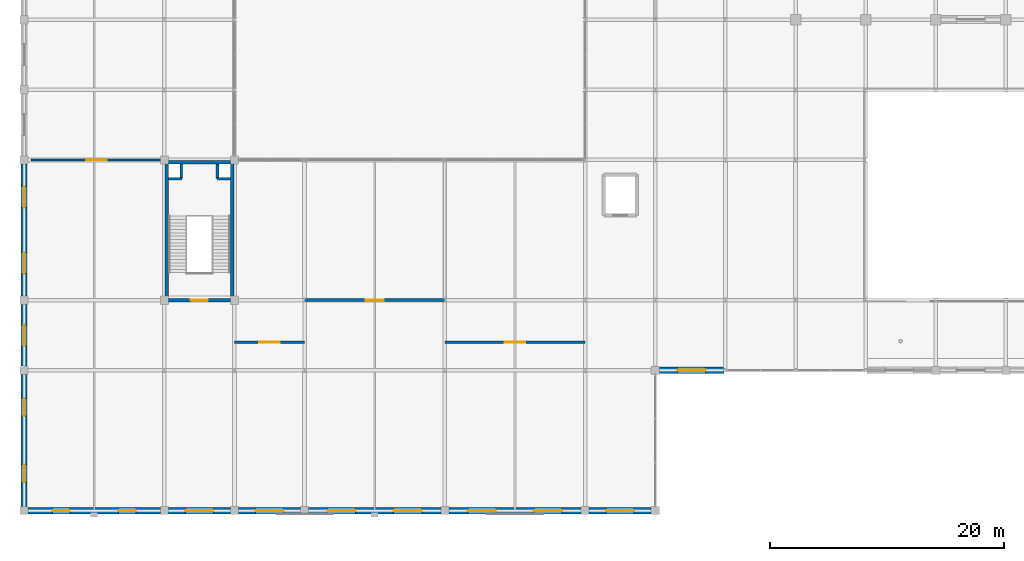
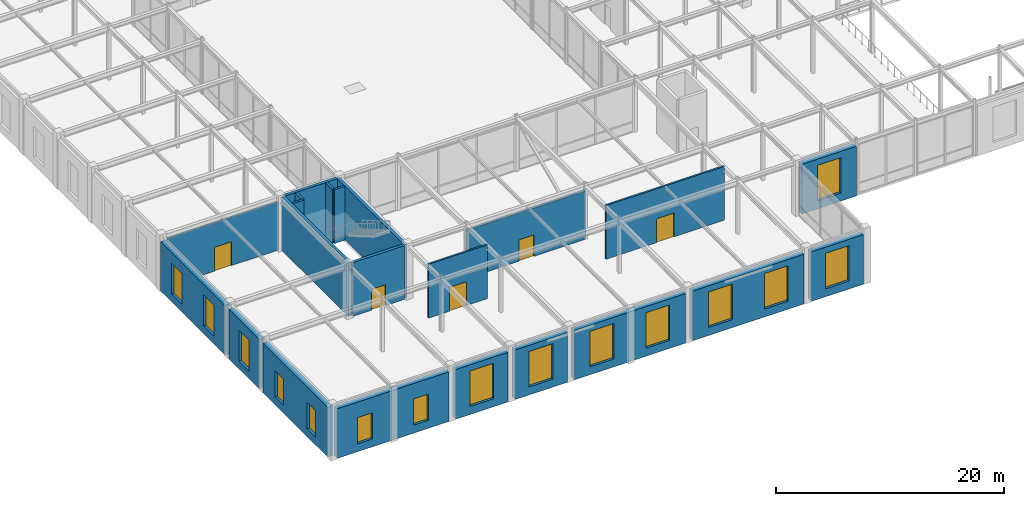
# One storey, part 97 of 108: 22 walls, 15 windows, 5 doors, 20 openings.
"""IFC4 building model written with IfcOpenShell, lengths in metres."""

from ifc_helpers import new_model, si_unit, direction, frame, frame_2d, origin, place, context, subcontext, project, spatial, rectangle, extrude, material, layer, layer_set, type_object, element, fill, save


model = new_model("IFC4")

# Units and contexts
model_context = context("Model", 3, precision=1e-05, world=origin(), true_north=direction((0.0, 1.0)))
body_context = subcontext(model_context, "Body", "Model", "MODEL_VIEW")
ifc_project = project(units=[si_unit("LENGTHUNIT", "METRE"), si_unit("AREAUNIT", "SQUARE_METRE"), si_unit("VOLUMEUNIT", "CUBIC_METRE"), si_unit("PLANEANGLEUNIT", "RADIAN"), si_unit("MASSUNIT", "GRAM", prefix="KILO")], contexts=[model_context])

# Site, building, storey
site_placement = place(None, origin())
site = spatial("IfcSite", under=ifc_project, at=site_placement, CompositionType="ELEMENT")
building_placement = place(site_placement, origin())
building = spatial("IfcBuilding", under=site, at=building_placement, Name="Zlatovratsky Civic Hall", CompositionType="ELEMENT")
storey_placement = place(building_placement, frame((0.0, 0.0, 6.0)))
storey = spatial("IfcBuildingStorey", under=building, at=storey_placement, Name="L02", CompositionType="ELEMENT", Elevation=6.0)

# Wall, opening, door
ifc_material_1 = material(Name="Acoustic ceramic blockwork", Category="masonry")
ifc_layer_1 = layer(ifc_material_1, 0.179931640625)
ifc_layer_set_1 = layer_set([ifc_layer_1], Name="Acoustic ceramic blockwork")
wall_type_1 = type_object("IfcWallType", Name="Wall_AcousticChamberPartition_180", PredefinedType="PARTITIONING", material=ifc_layer_set_1)
wall_1_placement = place(storey_placement, frame((18.0, 14.39990234375, 0.0), z_axis=(0.0, 0.0, 1.0), x_axis=(1.0, 0.0, 0.0)))
wall_1 = element("IfcWall", 1, at=wall_1_placement, inside=storey, type_object=wall_type_1, Name="WL-6120", PredefinedType="PARTITIONING", context=body_context, shape_type="SweptSolid", body=[
    extrude(rectangle(XDim=6.0, YDim=0.179931640625, at=frame_2d((3.0, 0.0))), origin(), (0.0, 0.0, 1.0), 5.760009765625),
])
opening_1_placement = place(wall_1_placement, frame((2.125, 0.0, 0.0)))
opening_1 = element("IfcOpeningElement", 2, at=opening_1_placement, cuts=wall_1, Name="Opening D-13", PredefinedType="OPENING", context=body_context, shape_type="SweptSolid", body=[
    extrude(rectangle(XDim=1.75, YDim=2.550048828125, at=frame_2d((0.875, 1.27490234375))), frame((0.0, 0.10498046875, 0.0), z_axis=(0.0, -1.0, 0.0), x_axis=(1.0, 0.0, 0.0)), (0.0, 0.0, 1.0), 0.209716796875),
])
ifc_material_2 = material(Name="Solid oak joinery in steel frame", Category="steel")
door_type_1 = type_object("IfcDoorType", Name="Door_CommitteeSuiteDouble_1750x2550", OperationType="DOUBLE_DOOR_SINGLE_SWING", PredefinedType="DOOR", material=ifc_material_2)
door_1_placement = place(opening_1_placement, origin())
door_1 = element("IfcDoor", 3, at=door_1_placement, inside=storey, type_object=door_type_1, Name="DR-5261", OperationType="DOUBLE_DOOR_SINGLE_SWING", OverallHeight=2.550048828125, OverallWidth=1.75, PredefinedType="DOOR", context=body_context, shape_type="SweptSolid", body=[
    extrude(rectangle(XDim=1.75, YDim=2.550048828125, at=frame_2d((0.875, 1.27490234375))), frame((0.0, 0.02490234375, 0.0), z_axis=(0.0, -1.0, 0.0), x_axis=(1.0, 0.0, 0.0)), (0.0, 0.0, 1.0), 0.050048828125),
])
fill(opening_1, door_1)

wall_2_placement = place(storey_placement, frame((36.0, 14.39990234375, 0.0), z_axis=(0.0, 0.0, 1.0), x_axis=(1.0, 0.0, 0.0)))
wall_2 = element("IfcWall", 4, at=wall_2_placement, inside=storey, type_object=wall_type_1, Name="WL-6121", PredefinedType="PARTITIONING", context=body_context, shape_type="SweptSolid", body=[
    extrude(rectangle(XDim=12.0, YDim=0.179931640625, at=frame_2d((6.0, 0.0))), origin(), (0.0, 0.0, 1.0), 5.760009765625),
])
opening_2_placement = place(wall_2_placement, frame((5.125, 0.0, 0.0)))
opening_2 = element("IfcOpeningElement", 5, at=opening_2_placement, cuts=wall_2, Name="Opening D-13", PredefinedType="OPENING", context=body_context, shape_type="SweptSolid", body=[
    extrude(rectangle(XDim=1.75, YDim=2.550048828125, at=frame_2d((0.875, 1.27490234375))), frame((0.0, 0.10498046875, 0.0), z_axis=(0.0, -1.0, 0.0), x_axis=(1.0, 0.0, 0.0)), (0.0, 0.0, 1.0), 0.209716796875),
])
door_2_placement = place(opening_2_placement, origin())
door_2 = element("IfcDoor", 6, at=door_2_placement, inside=storey, type_object=door_type_1, Name="DR-5262", OperationType="DOUBLE_DOOR_SINGLE_SWING", OverallHeight=2.550048828125, OverallWidth=1.75, PredefinedType="DOOR", context=body_context, shape_type="SweptSolid", body=[
    extrude(rectangle(XDim=1.75, YDim=2.550048828125, at=frame_2d((0.875, 1.27490234375))), frame((0.0, 0.02490234375, 0.0), z_axis=(0.0, -1.0, 0.0), x_axis=(1.0, 0.0, 0.0)), (0.0, 0.0, 1.0), 0.050048828125),
])
fill(opening_2, door_2)

wall_3_placement = place(storey_placement, frame((0.60009765625, 30.0, 0.0), z_axis=(0.0, 0.0, 1.0), x_axis=(1.0, 0.0, 0.0)))
wall_3 = element("IfcWall", 7, at=wall_3_placement, inside=storey, type_object=wall_type_1, Name="WL-6124", PredefinedType="PARTITIONING", context=body_context, shape_type="SweptSolid", body=[
    extrude(rectangle(XDim=11.199951171875, YDim=0.179931640625, at=frame_2d((5.60009765625, 0.0))), origin(), (0.0, 0.0, 1.0), 5.177978515625),
])
opening_3_placement = place(wall_3_placement, frame((4.72509765625, 0.0, 0.0)))
opening_3 = element("IfcOpeningElement", 8, at=opening_3_placement, cuts=wall_3, Name="Opening D-13", PredefinedType="OPENING", context=body_context, shape_type="SweptSolid", body=[
    extrude(rectangle(XDim=1.75, YDim=2.550048828125, at=frame_2d((0.875, 1.27490234375))), frame((0.0, 0.10498046875, 0.0), z_axis=(0.0, -1.0, 0.0), x_axis=(1.0, 0.0, 0.0)), (0.0, 0.0, 1.0), 0.209716796875),
])
door_3_placement = place(opening_3_placement, origin())
door_3 = element("IfcDoor", 9, at=door_3_placement, inside=storey, type_object=door_type_1, Name="DR-5265", OperationType="DOUBLE_DOOR_SINGLE_SWING", OverallHeight=2.550048828125, OverallWidth=1.75, PredefinedType="DOOR", context=body_context, shape_type="SweptSolid", body=[
    extrude(rectangle(XDim=1.75, YDim=2.550048828125, at=frame_2d((0.875, 1.27490234375))), frame((0.0, 0.02490234375, 0.0), z_axis=(0.0, -1.0, 0.0), x_axis=(1.0, 0.0, 0.0)), (0.0, 0.0, 1.0), 0.050048828125),
])
fill(opening_3, door_3)

ifc_layer_2 = layer(ifc_material_1, 0.260009765625)
ifc_layer_set_2 = layer_set([ifc_layer_2], Name="Acoustic ceramic blockwork")
wall_type_2 = type_object("IfcWallType", Name="Wall_ArchiveCompartment_260", PredefinedType="PARTITIONING", material=ifc_layer_set_2)
wall_4_placement = place(storey_placement, frame((24.0, 18.0, 0.0), z_axis=(0.0, 0.0, 1.0), x_axis=(1.0, 0.0, 0.0)))
wall_4 = element("IfcWall", 10, at=wall_4_placement, inside=storey, type_object=wall_type_2, Name="WL-6129", PredefinedType="PARTITIONING", context=body_context, shape_type="SweptSolid", body=[
    extrude(rectangle(XDim=12.0, YDim=0.260009765625, at=frame_2d((6.0, 0.0))), origin(), (0.0, 0.0, 1.0), 5.177978515625),
])
opening_4_placement = place(wall_4_placement, frame((5.22509765625, 0.0, 0.0)))
opening_4 = element("IfcOpeningElement", 11, at=opening_4_placement, cuts=wall_4, Name="Opening D-15", PredefinedType="OPENING", context=body_context, shape_type="SweptSolid", body=[
    extrude(rectangle(XDim=1.550048828125, YDim=2.300048828125, at=frame_2d((0.77490234375, 1.14990234375))), frame((0.0, 0.14501953125, 0.0), z_axis=(0.0, -1.0, 0.0), x_axis=(1.0, 0.0, 0.0)), (0.0, 0.0, 1.0), 0.289794921875),
])
ifc_material_3 = material(Name="Insulated painted fire-rated steel leaf", Category="steel")
door_type_2 = type_object("IfcDoorType", Name="Door_CompactArchiveFire_1550x2300", OperationType="DOUBLE_DOOR_SINGLE_SWING", PredefinedType="DOOR", material=ifc_material_3)
door_4_placement = place(opening_4_placement, origin())
door_4 = element("IfcDoor", 12, at=door_4_placement, inside=storey, type_object=door_type_2, Name="DR-5270", OperationType="DOUBLE_DOOR_SINGLE_SWING", OverallHeight=2.300048828125, OverallWidth=1.550048828125, PredefinedType="DOOR", context=body_context, shape_type="SweptSolid", body=[
    extrude(rectangle(XDim=1.550048828125, YDim=2.300048828125, at=frame_2d((0.77490234375, 1.14990234375))), frame((0.0, 0.02490234375, 0.0), z_axis=(0.0, -1.0, 0.0), x_axis=(1.0, 0.0, 0.0)), (0.0, 0.0, 1.0), 0.050048828125),
])
fill(opening_4, door_4)

# Wall, openings, windows
ifc_layer_3 = layer(ifc_material_1, 0.39990234375, Name="Backing")
ifc_material_4 = material(Name="Polished Karelian granite ashlar", Category="masonry")
ifc_layer_4 = layer(ifc_material_4, 0.139892578125, Name="Finish")
ifc_layer_set_3 = layer_set([ifc_layer_3, ifc_layer_4], Name="Acoustic ceramic blockwork")
wall_type_3 = type_object("IfcWallType", Name="Wall_PodiumGraniteArcade_540", PredefinedType="SOLIDWALL", material=ifc_layer_set_3)
wall_5_placement = place(storey_placement, frame((0.35009765625, 0.0, 0.0), z_axis=(0.0, 0.0, 1.0), x_axis=(1.0, 0.0, 0.0)))
wall_5 = element("IfcWall", 13, at=wall_5_placement, inside=storey, type_object=wall_type_3, Name="WL-0167", PredefinedType="SOLIDWALL", context=body_context, shape_type="SweptSolid", body=[
    extrude(rectangle(XDim=11.2998046875, YDim=0.5400390625, at=frame_2d((5.64990234375, 0.0))), origin(), (0.0, 0.0, 1.0), 5.31005859375),
])
opening_5_placement = place(wall_5_placement, frame((2.074951171875, 0.0, 0.85009765625)))
opening_5 = element("IfcOpeningElement", 14, at=opening_5_placement, cuts=wall_5, Name="Opening WN-27", PredefinedType="OPENING", context=body_context, shape_type="SweptSolid", body=[
    extrude(rectangle(XDim=1.5, YDim=2.800048828125, at=frame_2d((0.75, 1.39990234375))), frame((0.0, 0.284912109375, 0.0), z_axis=(0.0, -1.0, 0.0), x_axis=(1.0, 0.0, 0.0)), (0.0, 0.0, 1.0), 0.56982421875),
])
opening_6_placement = place(wall_5_placement, frame((7.72509765625, 0.0, 0.85009765625)))
opening_6 = element("IfcOpeningElement", 15, at=opening_6_placement, cuts=wall_5, Name="Opening WN-27", PredefinedType="OPENING", context=body_context, shape_type="SweptSolid", body=[
    extrude(rectangle(XDim=1.5, YDim=2.800048828125, at=frame_2d((0.75, 1.39990234375))), frame((0.0, 0.284912109375, 0.0), z_axis=(0.0, -1.0, 0.0), x_axis=(1.0, 0.0, 0.0)), (0.0, 0.0, 1.0), 0.56982421875),
])
ifc_material_5 = material(Name="Low-E laminated double glazing", Category="glass")
window_type_1 = type_object("IfcWindowType", Name="Window_CornerBastionPodium_1500x2800", PartitioningType="SINGLE_PANEL", PredefinedType="WINDOW", material=ifc_material_5)
window_1_placement = place(opening_5_placement, origin())
window_1 = element("IfcWindow", 16, at=window_1_placement, inside=storey, type_object=window_type_1, Name="WN-0077", OverallHeight=2.800048828125, OverallWidth=1.5, PartitioningType="SINGLE_PANEL", PredefinedType="WINDOW", context=body_context, shape_type="SweptSolid", body=[
    extrude(rectangle(XDim=1.5, YDim=2.800048828125, at=frame_2d((0.75, 1.39990234375))), frame((0.0, 0.030029296875, 0.0), z_axis=(0.0, -1.0, 0.0), x_axis=(1.0, 0.0, 0.0)), (0.0, 0.0, 1.0), 0.06005859375),
])
fill(opening_5, window_1)
window_2_placement = place(opening_6_placement, origin())
window_2 = element("IfcWindow", 17, at=window_2_placement, inside=storey, type_object=window_type_1, Name="WN-0078", OverallHeight=2.800048828125, OverallWidth=1.5, PartitioningType="SINGLE_PANEL", PredefinedType="WINDOW", context=body_context, shape_type="SweptSolid", body=[
    extrude(rectangle(XDim=1.5, YDim=2.800048828125, at=frame_2d((0.75, 1.39990234375))), frame((0.0, 0.030029296875, 0.0), z_axis=(0.0, -1.0, 0.0), x_axis=(1.0, 0.0, 0.0)), (0.0, 0.0, 1.0), 0.06005859375),
])
fill(opening_6, window_2)

# Wall, opening, window
wall_6_placement = place(storey_placement, frame((12.35009765625, 0.0, 0.0), z_axis=(0.0, 0.0, 1.0), x_axis=(1.0, 0.0, 0.0)))
wall_6 = element("IfcWall", 18, at=wall_6_placement, inside=storey, type_object=wall_type_3, Name="WL-0168", PredefinedType="SOLIDWALL", context=body_context, shape_type="SweptSolid", body=[
    extrude(rectangle(XDim=5.2998046875, YDim=0.5400390625, at=frame_2d((2.64990234375, 0.0))), origin(), (0.0, 0.0, 1.0), 5.31005859375),
])
opening_7_placement = place(wall_6_placement, frame((1.449951171875, 0.0, 0.85009765625)))
opening_7 = element("IfcOpeningElement", 19, at=opening_7_placement, cuts=wall_6, Name="Opening WN-04", PredefinedType="OPENING", context=body_context, shape_type="SweptSolid", body=[
    extrude(rectangle(XDim=2.39990234375, YDim=3.800048828125, at=frame_2d((1.199951171875, 1.89990234375))), frame((0.0, 0.284912109375, 0.0), z_axis=(0.0, -1.0, 0.0), x_axis=(1.0, 0.0, 0.0)), (0.0, 0.0, 1.0), 0.56982421875),
])
window_type_2 = type_object("IfcWindowType", Name="Window_PianoNobileGrand_2400x3800", PartitioningType="SINGLE_PANEL", PredefinedType="WINDOW", material=ifc_material_5)
window_3_placement = place(opening_7_placement, origin())
window_3 = element("IfcWindow", 20, at=window_3_placement, inside=storey, type_object=window_type_2, Name="WN-0079", OverallHeight=3.800048828125, OverallWidth=2.39990234375, PartitioningType="SINGLE_PANEL", PredefinedType="WINDOW", context=body_context, shape_type="SweptSolid", body=[
    extrude(rectangle(XDim=2.39990234375, YDim=3.800048828125, at=frame_2d((1.199951171875, 1.89990234375))), frame((0.0, 0.030029296875, 0.0), z_axis=(0.0, -1.0, 0.0), x_axis=(1.0, 0.0, 0.0)), (0.0, 0.0, 1.0), 0.06005859375),
])
fill(opening_7, window_3)

wall_7_placement = place(storey_placement, frame((18.35009765625, 0.0, 0.0), z_axis=(0.0, 0.0, 1.0), x_axis=(1.0, 0.0, 0.0)))
wall_7 = element("IfcWall", 21, at=wall_7_placement, inside=storey, type_object=wall_type_3, Name="WL-0169", PredefinedType="SOLIDWALL", context=body_context, shape_type="SweptSolid", body=[
    extrude(rectangle(XDim=5.2998046875, YDim=0.5400390625, at=frame_2d((2.64990234375, 0.0))), origin(), (0.0, 0.0, 1.0), 5.31005859375),
])
opening_8_placement = place(wall_7_placement, frame((1.449951171875, 0.0, 0.85009765625)))
opening_8 = element("IfcOpeningElement", 22, at=opening_8_placement, cuts=wall_7, Name="Opening WN-04", PredefinedType="OPENING", context=body_context, shape_type="SweptSolid", body=[
    extrude(rectangle(XDim=2.39990234375, YDim=3.800048828125, at=frame_2d((1.199951171875, 1.89990234375))), frame((0.0, 0.284912109375, 0.0), z_axis=(0.0, -1.0, 0.0), x_axis=(1.0, 0.0, 0.0)), (0.0, 0.0, 1.0), 0.56982421875),
])
window_4_placement = place(opening_8_placement, origin())
window_4 = element("IfcWindow", 23, at=window_4_placement, inside=storey, type_object=window_type_2, Name="WN-0080", OverallHeight=3.800048828125, OverallWidth=2.39990234375, PartitioningType="SINGLE_PANEL", PredefinedType="WINDOW", context=body_context, shape_type="SweptSolid", body=[
    extrude(rectangle(XDim=2.39990234375, YDim=3.800048828125, at=frame_2d((1.199951171875, 1.89990234375))), frame((0.0, 0.030029296875, 0.0), z_axis=(0.0, -1.0, 0.0), x_axis=(1.0, 0.0, 0.0)), (0.0, 0.0, 1.0), 0.06005859375),
])
fill(opening_8, window_4)

# Wall, openings, windows
wall_8_placement = place(storey_placement, frame((24.35009765625, 0.0, 0.0), z_axis=(0.0, 0.0, 1.0), x_axis=(1.0, 0.0, 0.0)))
wall_8 = element("IfcWall", 24, at=wall_8_placement, inside=storey, type_object=wall_type_3, Name="WL-0170", PredefinedType="SOLIDWALL", context=body_context, shape_type="SweptSolid", body=[
    extrude(rectangle(XDim=11.2998046875, YDim=0.5400390625, at=frame_2d((5.64990234375, 0.0))), origin(), (0.0, 0.0, 1.0), 5.31005859375),
])
opening_9_placement = place(wall_8_placement, frame((1.625, 0.0, 0.85009765625)))
opening_9 = element("IfcOpeningElement", 25, at=opening_9_placement, cuts=wall_8, Name="Opening WN-04", PredefinedType="OPENING", context=body_context, shape_type="SweptSolid", body=[
    extrude(rectangle(XDim=2.39990234375, YDim=3.800048828125, at=frame_2d((1.199951171875, 1.89990234375))), frame((0.0, 0.284912109375, 0.0), z_axis=(0.0, -1.0, 0.0), x_axis=(1.0, 0.0, 0.0)), (0.0, 0.0, 1.0), 0.56982421875),
])
opening_10_placement = place(wall_8_placement, frame((7.27490234375, 0.0, 0.85009765625)))
opening_10 = element("IfcOpeningElement", 26, at=opening_10_placement, cuts=wall_8, Name="Opening WN-04", PredefinedType="OPENING", context=body_context, shape_type="SweptSolid", body=[
    extrude(rectangle(XDim=2.39990234375, YDim=3.800048828125, at=frame_2d((1.199951171875, 1.89990234375))), frame((0.0, 0.284912109375, 0.0), z_axis=(0.0, -1.0, 0.0), x_axis=(1.0, 0.0, 0.0)), (0.0, 0.0, 1.0), 0.56982421875),
])
window_5_placement = place(opening_9_placement, origin())
window_5 = element("IfcWindow", 27, at=window_5_placement, inside=storey, type_object=window_type_2, Name="WN-0081", OverallHeight=3.800048828125, OverallWidth=2.39990234375, PartitioningType="SINGLE_PANEL", PredefinedType="WINDOW", context=body_context, shape_type="SweptSolid", body=[
    extrude(rectangle(XDim=2.39990234375, YDim=3.800048828125, at=frame_2d((1.199951171875, 1.89990234375))), frame((0.0, 0.030029296875, 0.0), z_axis=(0.0, -1.0, 0.0), x_axis=(1.0, 0.0, 0.0)), (0.0, 0.0, 1.0), 0.06005859375),
])
fill(opening_9, window_5)
window_6_placement = place(opening_10_placement, origin())
window_6 = element("IfcWindow", 28, at=window_6_placement, inside=storey, type_object=window_type_2, Name="WN-0082", OverallHeight=3.800048828125, OverallWidth=2.39990234375, PartitioningType="SINGLE_PANEL", PredefinedType="WINDOW", context=body_context, shape_type="SweptSolid", body=[
    extrude(rectangle(XDim=2.39990234375, YDim=3.800048828125, at=frame_2d((1.199951171875, 1.89990234375))), frame((0.0, 0.030029296875, 0.0), z_axis=(0.0, -1.0, 0.0), x_axis=(1.0, 0.0, 0.0)), (0.0, 0.0, 1.0), 0.06005859375),
])
fill(opening_10, window_6)

wall_9_placement = place(storey_placement, frame((36.35009765625, 0.0, 0.0), z_axis=(0.0, 0.0, 1.0), x_axis=(1.0, 0.0, 0.0)))
wall_9 = element("IfcWall", 29, at=wall_9_placement, inside=storey, type_object=wall_type_3, Name="WL-0171", PredefinedType="SOLIDWALL", context=body_context, shape_type="SweptSolid", body=[
    extrude(rectangle(XDim=11.2998046875, YDim=0.5400390625, at=frame_2d((5.64990234375, 0.0))), origin(), (0.0, 0.0, 1.0), 5.31005859375),
])
opening_11_placement = place(wall_9_placement, frame((1.625, 0.0, 0.85009765625)))
opening_11 = element("IfcOpeningElement", 30, at=opening_11_placement, cuts=wall_9, Name="Opening WN-04", PredefinedType="OPENING", context=body_context, shape_type="SweptSolid", body=[
    extrude(rectangle(XDim=2.39990234375, YDim=3.800048828125, at=frame_2d((1.199951171875, 1.89990234375))), frame((0.0, 0.284912109375, 0.0), z_axis=(0.0, -1.0, 0.0), x_axis=(1.0, 0.0, 0.0)), (0.0, 0.0, 1.0), 0.56982421875),
])
opening_12_placement = place(wall_9_placement, frame((7.27490234375, 0.0, 0.85009765625)))
opening_12 = element("IfcOpeningElement", 31, at=opening_12_placement, cuts=wall_9, Name="Opening WN-04", PredefinedType="OPENING", context=body_context, shape_type="SweptSolid", body=[
    extrude(rectangle(XDim=2.39990234375, YDim=3.800048828125, at=frame_2d((1.199951171875, 1.89990234375))), frame((0.0, 0.284912109375, 0.0), z_axis=(0.0, -1.0, 0.0), x_axis=(1.0, 0.0, 0.0)), (0.0, 0.0, 1.0), 0.56982421875),
])
window_7_placement = place(opening_11_placement, origin())
window_7 = element("IfcWindow", 32, at=window_7_placement, inside=storey, type_object=window_type_2, Name="WN-0083", OverallHeight=3.800048828125, OverallWidth=2.39990234375, PartitioningType="SINGLE_PANEL", PredefinedType="WINDOW", context=body_context, shape_type="SweptSolid", body=[
    extrude(rectangle(XDim=2.39990234375, YDim=3.800048828125, at=frame_2d((1.199951171875, 1.89990234375))), frame((0.0, 0.030029296875, 0.0), z_axis=(0.0, -1.0, 0.0), x_axis=(1.0, 0.0, 0.0)), (0.0, 0.0, 1.0), 0.06005859375),
])
fill(opening_11, window_7)
window_8_placement = place(opening_12_placement, origin())
window_8 = element("IfcWindow", 33, at=window_8_placement, inside=storey, type_object=window_type_2, Name="WN-0084", OverallHeight=3.800048828125, OverallWidth=2.39990234375, PartitioningType="SINGLE_PANEL", PredefinedType="WINDOW", context=body_context, shape_type="SweptSolid", body=[
    extrude(rectangle(XDim=2.39990234375, YDim=3.800048828125, at=frame_2d((1.199951171875, 1.89990234375))), frame((0.0, 0.030029296875, 0.0), z_axis=(0.0, -1.0, 0.0), x_axis=(1.0, 0.0, 0.0)), (0.0, 0.0, 1.0), 0.06005859375),
])
fill(opening_12, window_8)

# Wall, opening, window
wall_10_placement = place(storey_placement, frame((48.35009765625, 0.0, 0.0), z_axis=(0.0, 0.0, 1.0), x_axis=(1.0, 0.0, 0.0)))
wall_10 = element("IfcWall", 34, at=wall_10_placement, inside=storey, type_object=wall_type_3, Name="WL-0172", PredefinedType="SOLIDWALL", context=body_context, shape_type="SweptSolid", body=[
    extrude(rectangle(XDim=5.2998046875, YDim=0.5400390625, at=frame_2d((2.64990234375, 0.0))), origin(), (0.0, 0.0, 1.0), 5.31005859375),
])
opening_13_placement = place(wall_10_placement, frame((1.449951171875, 0.0, 0.85009765625)))
opening_13 = element("IfcOpeningElement", 35, at=opening_13_placement, cuts=wall_10, Name="Opening WN-04", PredefinedType="OPENING", context=body_context, shape_type="SweptSolid", body=[
    extrude(rectangle(XDim=2.39990234375, YDim=3.800048828125, at=frame_2d((1.199951171875, 1.89990234375))), frame((0.0, 0.284912109375, 0.0), z_axis=(0.0, -1.0, 0.0), x_axis=(1.0, 0.0, 0.0)), (0.0, 0.0, 1.0), 0.56982421875),
])
window_9_placement = place(opening_13_placement, origin())
window_9 = element("IfcWindow", 36, at=window_9_placement, inside=storey, type_object=window_type_2, Name="WN-0085", OverallHeight=3.800048828125, OverallWidth=2.39990234375, PartitioningType="SINGLE_PANEL", PredefinedType="WINDOW", context=body_context, shape_type="SweptSolid", body=[
    extrude(rectangle(XDim=2.39990234375, YDim=3.800048828125, at=frame_2d((1.199951171875, 1.89990234375))), frame((0.0, 0.030029296875, 0.0), z_axis=(0.0, -1.0, 0.0), x_axis=(1.0, 0.0, 0.0)), (0.0, 0.0, 1.0), 0.06005859375),
])
fill(opening_13, window_9)

wall_11_placement = place(storey_placement, frame((54.35009765625, 12.0, 0.0), z_axis=(0.0, 0.0, 1.0), x_axis=(1.0, 0.0, 0.0)))
wall_11 = element("IfcWall", 37, at=wall_11_placement, inside=storey, type_object=wall_type_3, Name="WL-0179", PredefinedType="SOLIDWALL", context=body_context, shape_type="SweptSolid", body=[
    extrude(rectangle(XDim=5.513427734375, YDim=0.5400390625, at=frame_2d((2.7568359375, 0.0))), origin(), (0.0, 0.0, 1.0), 5.31005859375),
])
opening_14_placement = place(wall_11_placement, frame((1.556884765625, 0.0, 0.85009765625)))
opening_14 = element("IfcOpeningElement", 38, at=opening_14_placement, cuts=wall_11, Name="Opening WN-04", PredefinedType="OPENING", context=body_context, shape_type="SweptSolid", body=[
    extrude(rectangle(XDim=2.39990234375, YDim=3.800048828125, at=frame_2d((1.199951171875, 1.89990234375))), frame((0.0, 0.284912109375, 0.0), z_axis=(0.0, -1.0, 0.0), x_axis=(1.0, 0.0, 0.0)), (0.0, 0.0, 1.0), 0.56982421875),
])
window_10_placement = place(opening_14_placement, origin())
window_10 = element("IfcWindow", 39, at=window_10_placement, inside=storey, type_object=window_type_2, Name="WN-0095", OverallHeight=3.800048828125, OverallWidth=2.39990234375, PartitioningType="SINGLE_PANEL", PredefinedType="WINDOW", context=body_context, shape_type="SweptSolid", body=[
    extrude(rectangle(XDim=2.39990234375, YDim=3.800048828125, at=frame_2d((1.199951171875, 1.89990234375))), frame((0.0, 0.030029296875, 0.0), z_axis=(0.0, -1.0, 0.0), x_axis=(1.0, 0.0, 0.0)), (0.0, 0.0, 1.0), 0.06005859375),
])
fill(opening_14, window_10)

# Wall, openings, windows
wall_12_placement = place(storey_placement, frame((0.0, 0.35009765625, 0.0), z_axis=(0.0, 0.0, 1.0), x_axis=(0.0, 1.0, 0.0)))
wall_12 = element("IfcWall", 40, at=wall_12_placement, inside=storey, type_object=wall_type_3, Name="WL-0207", PredefinedType="SOLIDWALL", context=body_context, shape_type="SweptSolid", body=[
    extrude(rectangle(XDim=11.2998046875, YDim=0.5400390625, at=frame_2d((5.64990234375, 0.0))), origin(), (0.0, 0.0, 1.0), 5.31005859375),
])
opening_15_placement = place(wall_12_placement, frame((2.074951171875, 0.0, 0.85009765625)))
opening_15 = element("IfcOpeningElement", 41, at=opening_15_placement, cuts=wall_12, Name="Opening WN-27", PredefinedType="OPENING", context=body_context, shape_type="SweptSolid", body=[
    extrude(rectangle(XDim=1.5, YDim=2.800048828125, at=frame_2d((0.75, 1.39990234375))), frame((0.0, 0.284912109375, 0.0), z_axis=(0.0, -1.0, 0.0), x_axis=(1.0, 0.0, 0.0)), (0.0, 0.0, 1.0), 0.56982421875),
])
opening_16_placement = place(wall_12_placement, frame((7.72509765625, 0.0, 0.85009765625)))
opening_16 = element("IfcOpeningElement", 42, at=opening_16_placement, cuts=wall_12, Name="Opening WN-27", PredefinedType="OPENING", context=body_context, shape_type="SweptSolid", body=[
    extrude(rectangle(XDim=1.5, YDim=2.800048828125, at=frame_2d((0.75, 1.39990234375))), frame((0.0, 0.284912109375, 0.0), z_axis=(0.0, -1.0, 0.0), x_axis=(1.0, 0.0, 0.0)), (0.0, 0.0, 1.0), 0.56982421875),
])
window_11_placement = place(opening_15_placement, origin())
window_11 = element("IfcWindow", 43, at=window_11_placement, inside=storey, type_object=window_type_1, Name="WN-0127", OverallHeight=2.800048828125, OverallWidth=1.5, PartitioningType="SINGLE_PANEL", PredefinedType="WINDOW", context=body_context, shape_type="SweptSolid", body=[
    extrude(rectangle(XDim=1.5, YDim=2.800048828125, at=frame_2d((0.75, 1.39990234375))), frame((0.0, 0.030029296875, 0.0), z_axis=(0.0, -1.0, 0.0), x_axis=(1.0, 0.0, 0.0)), (0.0, 0.0, 1.0), 0.06005859375),
])
fill(opening_15, window_11)
window_12_placement = place(opening_16_placement, origin())
window_12 = element("IfcWindow", 44, at=window_12_placement, inside=storey, type_object=window_type_1, Name="WN-0128", OverallHeight=2.800048828125, OverallWidth=1.5, PartitioningType="SINGLE_PANEL", PredefinedType="WINDOW", context=body_context, shape_type="SweptSolid", body=[
    extrude(rectangle(XDim=1.5, YDim=2.800048828125, at=frame_2d((0.75, 1.39990234375))), frame((0.0, 0.030029296875, 0.0), z_axis=(0.0, -1.0, 0.0), x_axis=(1.0, 0.0, 0.0)), (0.0, 0.0, 1.0), 0.06005859375),
])
fill(opening_16, window_12)

# Wall, opening, window
wall_13_placement = place(storey_placement, frame((0.0, 12.35009765625, 0.0), z_axis=(0.0, 0.0, 1.0), x_axis=(0.0, 1.0, 0.0)))
wall_13 = element("IfcWall", 45, at=wall_13_placement, inside=storey, type_object=wall_type_3, Name="WL-0208", PredefinedType="SOLIDWALL", context=body_context, shape_type="SweptSolid", body=[
    extrude(rectangle(XDim=5.2998046875, YDim=0.5400390625, at=frame_2d((2.64990234375, 0.0))), origin(), (0.0, 0.0, 1.0), 5.31005859375),
])
opening_17_placement = place(wall_13_placement, frame((1.75, 0.0, 0.85009765625)))
opening_17 = element("IfcOpeningElement", 46, at=opening_17_placement, cuts=wall_13, Name="Opening WN-06", PredefinedType="OPENING", context=body_context, shape_type="SweptSolid", body=[
    extrude(rectangle(XDim=1.800048828125, YDim=3.300048828125, at=frame_2d((0.89990234375, 1.64990234375))), frame((0.0, 0.284912109375, 0.0), z_axis=(0.0, -1.0, 0.0), x_axis=(1.0, 0.0, 0.0)), (0.0, 0.0, 1.0), 0.56982421875),
])
window_type_3 = type_object("IfcWindowType", Name="Window_PianoNobileCourt_1800x3300", PartitioningType="SINGLE_PANEL", PredefinedType="WINDOW", material=ifc_material_5)
window_13_placement = place(opening_17_placement, origin())
window_13 = element("IfcWindow", 47, at=window_13_placement, inside=storey, type_object=window_type_3, Name="WN-0129", OverallHeight=3.300048828125, OverallWidth=1.800048828125, PartitioningType="SINGLE_PANEL", PredefinedType="WINDOW", context=body_context, shape_type="SweptSolid", body=[
    extrude(rectangle(XDim=1.800048828125, YDim=3.300048828125, at=frame_2d((0.89990234375, 1.64990234375))), frame((0.0, 0.030029296875, 0.0), z_axis=(0.0, -1.0, 0.0), x_axis=(1.0, 0.0, 0.0)), (0.0, 0.0, 1.0), 0.06005859375),
])
fill(opening_17, window_13)

# Wall, openings, windows
wall_14_placement = place(storey_placement, frame((0.0, 18.35009765625, 0.0), z_axis=(0.0, 0.0, 1.0), x_axis=(0.0, 1.0, 0.0)))
wall_14 = element("IfcWall", 48, at=wall_14_placement, inside=storey, type_object=wall_type_3, Name="WL-0209", PredefinedType="SOLIDWALL", context=body_context, shape_type="SweptSolid", body=[
    extrude(rectangle(XDim=11.2998046875, YDim=0.5400390625, at=frame_2d((5.64990234375, 0.0))), origin(), (0.0, 0.0, 1.0), 5.31005859375),
])
opening_18_placement = place(wall_14_placement, frame((1.925048828125, 0.0, 0.85009765625)))
opening_18 = element("IfcOpeningElement", 49, at=opening_18_placement, cuts=wall_14, Name="Opening WN-06", PredefinedType="OPENING", context=body_context, shape_type="SweptSolid", body=[
    extrude(rectangle(XDim=1.800048828125, YDim=3.300048828125, at=frame_2d((0.89990234375, 1.64990234375))), frame((0.0, 0.284912109375, 0.0), z_axis=(0.0, -1.0, 0.0), x_axis=(1.0, 0.0, 0.0)), (0.0, 0.0, 1.0), 0.56982421875),
])
opening_19_placement = place(wall_14_placement, frame((7.574951171875, 0.0, 0.85009765625)))
opening_19 = element("IfcOpeningElement", 50, at=opening_19_placement, cuts=wall_14, Name="Opening WN-06", PredefinedType="OPENING", context=body_context, shape_type="SweptSolid", body=[
    extrude(rectangle(XDim=1.800048828125, YDim=3.300048828125, at=frame_2d((0.89990234375, 1.64990234375))), frame((0.0, 0.284912109375, 0.0), z_axis=(0.0, -1.0, 0.0), x_axis=(1.0, 0.0, 0.0)), (0.0, 0.0, 1.0), 0.56982421875),
])
window_14_placement = place(opening_18_placement, origin())
window_14 = element("IfcWindow", 51, at=window_14_placement, inside=storey, type_object=window_type_3, Name="WN-0130", OverallHeight=3.300048828125, OverallWidth=1.800048828125, PartitioningType="SINGLE_PANEL", PredefinedType="WINDOW", context=body_context, shape_type="SweptSolid", body=[
    extrude(rectangle(XDim=1.800048828125, YDim=3.300048828125, at=frame_2d((0.89990234375, 1.64990234375))), frame((0.0, 0.030029296875, 0.0), z_axis=(0.0, -1.0, 0.0), x_axis=(1.0, 0.0, 0.0)), (0.0, 0.0, 1.0), 0.06005859375),
])
fill(opening_18, window_14)
window_15_placement = place(opening_19_placement, origin())
window_15 = element("IfcWindow", 52, at=window_15_placement, inside=storey, type_object=window_type_3, Name="WN-0131", OverallHeight=3.300048828125, OverallWidth=1.800048828125, PartitioningType="SINGLE_PANEL", PredefinedType="WINDOW", context=body_context, shape_type="SweptSolid", body=[
    extrude(rectangle(XDim=1.800048828125, YDim=3.300048828125, at=frame_2d((0.89990234375, 1.64990234375))), frame((0.0, 0.030029296875, 0.0), z_axis=(0.0, -1.0, 0.0), x_axis=(1.0, 0.0, 0.0)), (0.0, 0.0, 1.0), 0.06005859375),
])
fill(opening_19, window_15)

# Walls
ifc_layer_5 = layer(ifc_material_1, 0.219970703125)
ifc_layer_set_4 = layer_set([ifc_layer_5], Name="Acoustic ceramic blockwork")
wall_type_4 = type_object("IfcWallType", Name="Wall_SanitaryWetCore_220", PredefinedType="PARTITIONING", material=ifc_layer_set_4)
wall_15_placement = place(storey_placement, frame((13.449951171875, 28.39990234375, 0.0), z_axis=(0.0, 0.0, 1.0), x_axis=(0.0, 1.0, 0.0)))
element("IfcWall", 53, at=wall_15_placement, inside=storey, type_object=wall_type_4, Name="WL-5329", PredefinedType="PARTITIONING", context=body_context, shape_type="SweptSolid", body=[
    extrude(rectangle(XDim=1.25, YDim=0.219970703125, at=frame_2d((0.625, 0.0))), origin(), (0.0, 0.0, 1.0), 5.760009765625),
])
wall_16_placement = place(storey_placement, frame((12.35009765625, 28.39990234375, 0.0), z_axis=(0.0, 0.0, 1.0), x_axis=(1.0, 0.0, 0.0)))
element("IfcWall", 54, at=wall_16_placement, inside=storey, type_object=wall_type_4, Name="WL-5330", PredefinedType="PARTITIONING", context=body_context, shape_type="SweptSolid", body=[
    extrude(rectangle(XDim=1.099853515625, YDim=0.219970703125, at=frame_2d((0.5498046875, 0.0))), origin(), (0.0, 0.0, 1.0), 5.760009765625),
])
wall_17_placement = place(storey_placement, frame((16.550048828125, 28.39990234375, 0.0), z_axis=(0.0, 0.0, 1.0), x_axis=(0.0, 1.0, 0.0)))
element("IfcWall", 55, at=wall_17_placement, inside=storey, type_object=wall_type_4, Name="WL-5331", PredefinedType="PARTITIONING", context=body_context, shape_type="SweptSolid", body=[
    extrude(rectangle(XDim=1.25, YDim=0.219970703125, at=frame_2d((0.625, 0.0))), origin(), (0.0, 0.0, 1.0), 5.760009765625),
])
wall_18_placement = place(storey_placement, frame((16.550048828125, 28.39990234375, 0.0), z_axis=(0.0, 0.0, 1.0), x_axis=(1.0, 0.0, 0.0)))
element("IfcWall", 56, at=wall_18_placement, inside=storey, type_object=wall_type_4, Name="WL-5332", PredefinedType="PARTITIONING", context=body_context, shape_type="SweptSolid", body=[
    extrude(rectangle(XDim=1.099853515625, YDim=0.219970703125, at=frame_2d((0.5498046875, 0.0))), origin(), (0.0, 0.0, 1.0), 5.760009765625),
])

# Wall, opening, door
ifc_material_6 = material(Name="Concrete C35/45 (B40)", Category="concrete")
ifc_layer_6 = layer(ifc_material_6, 0.300048828125)
ifc_layer_set_5 = layer_set([ifc_layer_6], Name="Concrete C35/45 (B40)")
wall_type_5 = type_object("IfcWallType", Name="Wall_StairAndLiftShaft_300", PredefinedType="SHEAR", material=ifc_layer_set_5)
wall_19_placement = place(storey_placement, frame((12.35009765625, 18.0, 0.0), z_axis=(0.0, 0.0, 1.0), x_axis=(1.0, 0.0, 0.0)))
wall_19 = element("IfcWall", 57, at=wall_19_placement, inside=storey, type_object=wall_type_5, Name="WL-5325", PredefinedType="SHEAR", context=body_context, shape_type="SweptSolid", body=[
    extrude(rectangle(XDim=5.2998046875, YDim=0.300048828125, at=frame_2d((2.64990234375, 0.0))), origin(), (0.0, 0.0, 1.0), 5.760009765625),
])
opening_20_placement = place(wall_19_placement, frame((1.925048828125, 0.0, 0.0)))
opening_20 = element("IfcOpeningElement", 58, at=opening_20_placement, cuts=wall_19, Name="Opening D-16", PredefinedType="OPENING", context=body_context, shape_type="SweptSolid", body=[
    extrude(rectangle(XDim=1.449951171875, YDim=2.25, at=frame_2d((0.72509765625, 1.125))), frame((0.0, 0.1650390625, 0.0), z_axis=(0.0, -1.0, 0.0), x_axis=(1.0, 0.0, 0.0)), (0.0, 0.0, 1.0), 0.329833984375),
])
door_type_3 = type_object("IfcDoorType", Name="Door_StairwellFirePodium_1450x2250", OperationType="NOTDEFINED", PredefinedType="DOOR", material=ifc_material_3)
door_5_placement = place(opening_20_placement, origin())
door_5 = element("IfcDoor", 59, at=door_5_placement, inside=storey, type_object=door_type_3, Name="DR-5041", OperationType="SINGLE_SWING_LEFT", OverallHeight=2.25, OverallWidth=1.449951171875, PredefinedType="DOOR", context=body_context, shape_type="SweptSolid", body=[
    extrude(rectangle(XDim=1.449951171875, YDim=2.25, at=frame_2d((0.72509765625, 1.125))), frame((0.0, 0.02490234375, 0.0), z_axis=(0.0, -1.0, 0.0), x_axis=(1.0, 0.0, 0.0)), (0.0, 0.0, 1.0), 0.050048828125),
])
fill(opening_20, door_5)

# Walls
wall_20_placement = place(storey_placement, frame((12.35009765625, 29.800048828125, 0.0), z_axis=(0.0, 0.0, 1.0), x_axis=(1.0, 0.0, 0.0)))
element("IfcWall", 60, at=wall_20_placement, inside=storey, type_object=wall_type_5, Name="WL-5326", PredefinedType="SHEAR", context=body_context, shape_type="SweptSolid", body=[
    extrude(rectangle(XDim=5.2998046875, YDim=0.300048828125, at=frame_2d((2.64990234375, 0.0))), origin(), (0.0, 0.0, 1.0), 5.760009765625),
])
for number, where, z_axis, x_axis, name in (
    (61, (12.199951171875, 18.0, 0.0), (0.0, 0.0, 1.0), (0.0, 1.0, 0.0), "WL-5327"),
    (62, (17.800048828125, 18.0, 0.0), (0.0, 0.0, 1.0), (0.0, 1.0, 0.0), "WL-5328"),
):
    element("IfcWall", number, at=place(storey_placement, frame(where, z_axis=z_axis, x_axis=x_axis)), inside=storey, type_object=wall_type_5, Name=name, PredefinedType="SHEAR", context=body_context, shape_type="SweptSolid", body=[
        extrude(rectangle(XDim=11.800048828125, YDim=0.300048828125, at=frame_2d((5.89990234375, 0.0))), origin(), (0.0, 0.0, 1.0), 5.760009765625),
    ])

save(model, "model.ifc")
